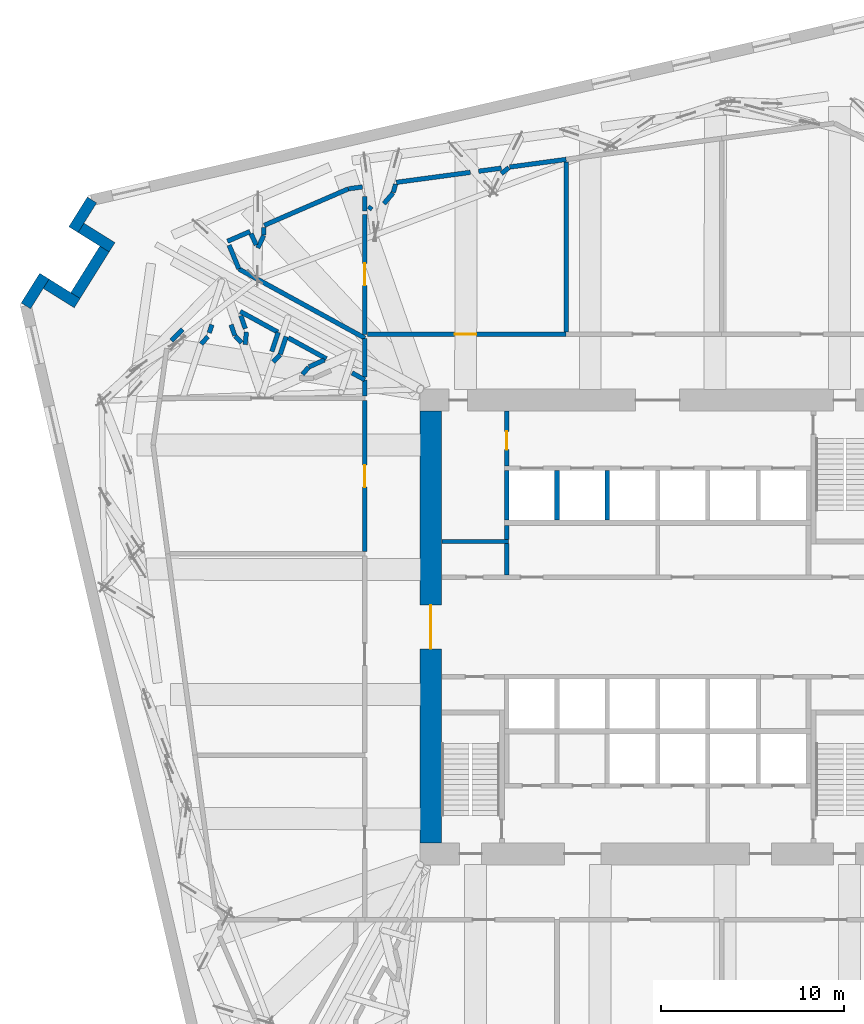
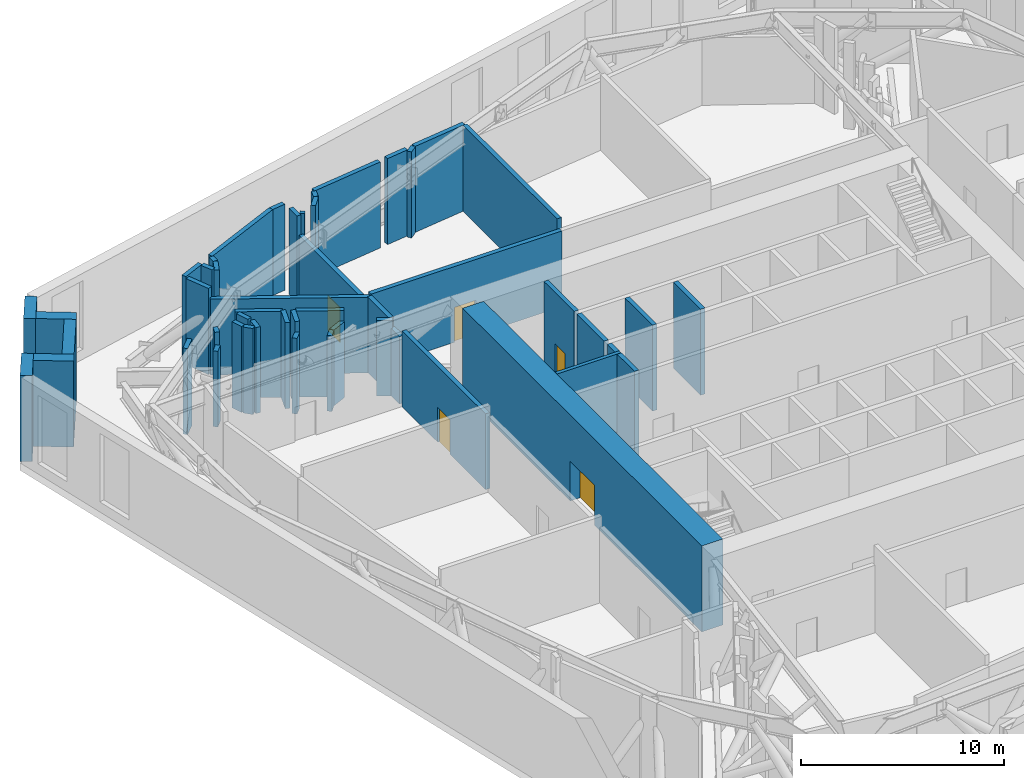
# One storey, part 10 of 17: 50 walls, 5 doors, 5 openings.
"""IFC4 building model written with IfcOpenShell, lengths in metres."""

from ifc_helpers import new_model, si_unit, direction, frame, frame_2d, origin, place, context, subcontext, project, spatial, rectangle, extrude, material, layer, layer_set, type_object, element, fill, save


model = new_model("IFC4")

# Units and contexts
model_context = context("Model", 3, precision=1e-05, world=origin(), true_north=direction((0.0, 1.0)))
body_context = subcontext(model_context, "Body", "Model", "MODEL_VIEW")
ifc_project = project(units=[si_unit("LENGTHUNIT", "METRE"), si_unit("AREAUNIT", "SQUARE_METRE"), si_unit("VOLUMEUNIT", "CUBIC_METRE"), si_unit("PLANEANGLEUNIT", "RADIAN"), si_unit("MASSUNIT", "GRAM", prefix="KILO")], contexts=[model_context])

# Site, building, storey
site_placement = place(None, origin())
site = spatial("IfcSite", under=ifc_project, at=site_placement, CompositionType="ELEMENT")
building_placement = place(site_placement, origin())
building = spatial("IfcBuilding", under=site, at=building_placement, Name="Dilmun Exchange Tower", CompositionType="ELEMENT")
storey_placement = place(building_placement, frame((0.0, 0.0, 76.5)))
storey = spatial("IfcBuildingStorey", under=building, at=storey_placement, Name="L17", CompositionType="ELEMENT", Elevation=76.5)

# Walls
ifc_material_1 = material(Name="Concrete C40/50", Category="concrete")
ifc_layer_1 = layer(ifc_material_1, 0.199951171875)
ifc_layer_set_1 = layer_set([ifc_layer_1], Name="Concrete C40/50")
wall_type_1 = type_object("IfcWallType", Name="Core partition wall 200", PredefinedType="PARTITIONING", material=ifc_layer_set_1)
wall_1_placement = place(storey_placement, frame((-11.794921875, 4.675048828125, 0.0), z_axis=(0.0, 0.0, 1.0), x_axis=(1.0, 0.0, 0.0)))
element("IfcWall", 1, at=wall_1_placement, inside=storey, type_object=wall_type_1, Name="L17 core partition wall 12", PredefinedType="PARTITIONING", context=body_context, shape_type="SweptSolid", body=[
    extrude(rectangle(XDim=3.64501953125, YDim=0.199951171875, at=frame_2d((1.822509765625, 0.0))), origin(), (0.0, 0.0, 1.0), 5.179931640625),
])
ifc_layer_2 = layer(ifc_material_1, 0.25)
ifc_layer_set_2 = layer_set([ifc_layer_2], Name="Concrete C40/50")
wall_type_2 = type_object("IfcWallType", Name="Core partition wall 250", PredefinedType="PARTITIONING", material=ifc_layer_set_2)
wall_2_placement = place(storey_placement, frame((-8.25, 2.85498046875, 0.0), z_axis=(0.0, 0.0, 1.0), x_axis=(0.0, 1.0, 0.0)))
element("IfcWall", 2, at=wall_2_placement, inside=storey, type_object=wall_type_2, Name="L17 core partition wall 09", PredefinedType="PARTITIONING", context=body_context, shape_type="SweptSolid", body=[
    extrude(rectangle(XDim=1.715087890625, YDim=0.25, at=frame_2d((0.857421875, 0.0))), origin(), (0.0, 0.0, 1.0), 5.179931640625),
])
wall_3_placement = place(storey_placement, frame((-8.25, 4.780029296875, 0.0), z_axis=(0.0, 0.0, 1.0), x_axis=(0.0, 1.0, 0.0)))
element("IfcWall", 3, at=wall_3_placement, inside=storey, type_object=wall_type_2, Name="L17 core partition wall 13", PredefinedType="PARTITIONING", context=body_context, shape_type="SweptSolid", body=[
    extrude(rectangle(XDim=0.764892578125, YDim=0.25, at=frame_2d((0.38232421875, 0.0))), origin(), (0.0, 0.0, 1.0), 5.179931640625),
])

# Wall, opening, door
wall_4_placement = place(storey_placement, frame((-8.25, 8.804931640625, 0.0), z_axis=(0.0, 0.0, 1.0), x_axis=(0.0, 1.0, 0.0)))
wall_4 = element("IfcWall", 4, at=wall_4_placement, inside=storey, type_object=wall_type_2, Name="L17 core partition wall 14", PredefinedType="PARTITIONING", context=body_context, shape_type="SweptSolid", body=[
    extrude(rectangle(XDim=2.989990234375, YDim=0.25, at=frame_2d((1.4951171875, 0.0))), origin(), (0.0, 0.0, 1.0), 5.179931640625),
])
opening_1_placement = place(wall_4_placement, frame((0.89501953125, 0.0, 0.0)))
opening_1 = element("IfcOpeningElement", 5, at=opening_1_placement, cuts=wall_4, Name="Opening CD4", PredefinedType="OPENING", context=body_context, shape_type="SweptSolid", body=[
    extrude(rectangle(XDim=1.0, YDim=2.10009765625, at=frame_2d((0.5, 1.050048828125))), frame((0.0, 0.135009765625, 0.0), z_axis=(0.0, -1.0, 0.0), x_axis=(1.0, 0.0, 0.0)), (0.0, 0.0, 1.0), 0.27001953125),
])
ifc_material_2 = material(Name="Fire-rated steel door set", Category="steel")
door_type_1 = type_object("IfcDoorType", Name="Core room door 1000x2100", OperationType="SINGLE_SWING_LEFT", PredefinedType="DOOR", material=ifc_material_2)
door_1_placement = place(opening_1_placement, origin())
door_1 = element("IfcDoor", 6, at=door_1_placement, inside=storey, type_object=door_type_1, Name="L17 door Building services room", OperationType="SINGLE_SWING_RIGHT", OverallHeight=2.10009765625, OverallWidth=1.0, PredefinedType="DOOR", context=body_context, shape_type="SweptSolid", body=[
    extrude(rectangle(XDim=1.0, YDim=2.10009765625, at=frame_2d((0.5, 1.050048828125))), frame((0.0, 0.02490234375, 0.0), z_axis=(0.0, -1.0, 0.0), x_axis=(1.0, 0.0, 0.0)), (0.0, 0.0, 1.0), 0.050048828125),
])
fill(opening_1, door_1)

ifc_material_3 = material(Name="Concrete C80/95", Category="concrete")
ifc_layer_3 = layer(ifc_material_3, 1.199951171875)
ifc_layer_set_3 = layer_set([ifc_layer_3], Name="Concrete C80/95")
wall_type_3 = type_object("IfcWallType", Name="Core shear wall 1200 Concrete C80/95", PredefinedType="SHEAR", material=ifc_layer_set_3)
wall_5_placement = place(storey_placement, frame((-12.39990234375, -11.800048828125, 0.0), z_axis=(0.0, 0.0, 1.0), x_axis=(0.0, 1.0, 0.0)))
wall_5 = element("IfcWall", 7, at=wall_5_placement, inside=storey, type_object=wall_type_3, Name="L17 core shear wall W", PredefinedType="SHEAR", context=body_context, shape_type="SweptSolid", body=[
    extrude(rectangle(XDim=23.60009765625, YDim=1.199951171875, at=frame_2d((11.800048828125, 0.0))), origin(), (0.0, 0.0, 1.0), 5.179931640625),
])
opening_2_placement = place(wall_5_placement, frame((10.60009765625, 0.0, 0.0)))
opening_2 = element("IfcOpeningElement", 8, at=opening_2_placement, cuts=wall_5, Name="Opening CD1", PredefinedType="OPENING", context=body_context, shape_type="SweptSolid", body=[
    extrude(rectangle(XDim=2.39990234375, YDim=2.39990234375, at=frame_2d((1.199951171875, 1.199951171875))), frame((0.0, 0.60986328125, 0.0), z_axis=(0.0, -1.0, 0.0), x_axis=(1.0, 0.0, 0.0)), (0.0, 0.0, 1.0), 1.219970703125),
])
door_type_2 = type_object("IfcDoorType", Name="Core lobby door 2400x2400", OperationType="DOUBLE_DOOR_DOUBLE_SWING", PredefinedType="DOOR", material=ifc_material_2)
door_2_placement = place(opening_2_placement, origin())
door_2 = element("IfcDoor", 9, at=door_2_placement, inside=storey, type_object=door_type_2, Name="L17 door Central lift lobby", OperationType="SINGLE_SWING_LEFT", OverallHeight=2.39990234375, OverallWidth=2.39990234375, PredefinedType="DOOR", context=body_context, shape_type="SweptSolid", body=[
    extrude(rectangle(XDim=2.39990234375, YDim=2.39990234375, at=frame_2d((1.199951171875, 1.199951171875))), frame((0.0, 0.02490234375, 0.0), z_axis=(0.0, -1.0, 0.0), x_axis=(1.0, 0.0, 0.0)), (0.0, 0.0, 1.0), 0.050048828125),
])
fill(opening_2, door_2)

# Walls
ifc_layer_4 = layer(ifc_material_1, 0.25)
ifc_layer_set_4 = layer_set([ifc_layer_4], Name="Concrete C40/50")
wall_type_4 = type_object("IfcWallType", Name="Lift shaft wall 250", PredefinedType="SOLIDWALL", material=ifc_layer_set_4)
for number, where, z_axis, x_axis, name in (
    (10, (-8.25, 5.85009765625, 0.0), (0.0, 0.0, 1.0), (0.0, 1.0, 0.0), "L17 lift shaft divider N20"),
    (11, (-5.5, 5.85009765625, 0.0), (0.0, 0.0, 1.0), (0.0, 1.0, 0.0), "L17 lift shaft divider N21"),
    (12, (-2.75, 5.85009765625, 0.0), (0.0, 0.0, 1.0), (0.0, 1.0, 0.0), "L17 lift shaft divider N22"),
):
    element("IfcWall", number, at=place(storey_placement, frame(where, z_axis=z_axis, x_axis=x_axis)), inside=storey, type_object=wall_type_4, Name=name, PredefinedType="SOLIDWALL", context=body_context, shape_type="SweptSolid", body=[
        extrude(rectangle(XDim=2.699951171875, YDim=0.25, at=frame_2d((1.35009765625, 0.0))), origin(), (0.0, 0.0, 1.0), 5.179931640625),
    ])

# Wall, opening, door
ifc_material_4 = material(Name="Concrete C32/40", Category="concrete")
ifc_layer_5 = layer(ifc_material_4, 0.25)
ifc_layer_set_5 = layer_set([ifc_layer_5], Name="Concrete C32/40")
wall_type_5 = type_object("IfcWallType", Name="Plant room wall 250", PredefinedType="PARTITIONING", material=ifc_layer_set_5)
wall_6_placement = place(storey_placement, frame((-16.0, 4.1298828125, 0.0), z_axis=(0.0, 0.0, 1.0), x_axis=(0.0, 1.0, 0.0)))
wall_6 = element("IfcWall", 13, at=wall_6_placement, inside=storey, type_object=wall_type_5, Name="L17 plant room wall 71", PredefinedType="PARTITIONING", context=body_context, shape_type="SweptSolid", body=[
    extrude(rectangle(XDim=8.240234375, YDim=0.25, at=frame_2d((4.1201171875, 0.0))), origin(), (0.0, 0.0, 1.0), 4.56005859375),
])
opening_3_placement = place(wall_6_placement, frame((3.52001953125, 0.0, 0.0)))
opening_3 = element("IfcOpeningElement", 14, at=opening_3_placement, cuts=wall_6, Name="Opening PD2", PredefinedType="OPENING", context=body_context, shape_type="SweptSolid", body=[
    extrude(rectangle(XDim=1.199951171875, YDim=2.10009765625, at=frame_2d((0.60009765625, 1.050048828125))), frame((0.0, 0.135009765625, 0.0), z_axis=(0.0, -1.0, 0.0), x_axis=(1.0, 0.0, 0.0)), (0.0, 0.0, 1.0), 0.27001953125),
])
door_type_3 = type_object("IfcDoorType", Name="Plant room door 1200x2100", OperationType="SINGLE_SWING_LEFT", PredefinedType="DOOR", material=ifc_material_2)
door_3_placement = place(opening_3_placement, origin())
door_3 = element("IfcDoor", 15, at=door_3_placement, inside=storey, type_object=door_type_3, Name="L17 door Mechanical pump room", OperationType="SINGLE_SWING_LEFT", OverallHeight=2.10009765625, OverallWidth=1.199951171875, PredefinedType="DOOR", context=body_context, shape_type="SweptSolid", body=[
    extrude(rectangle(XDim=1.199951171875, YDim=2.10009765625, at=frame_2d((0.60009765625, 1.050048828125))), frame((0.0, 0.02490234375, 0.0), z_axis=(0.0, -1.0, 0.0), x_axis=(1.0, 0.0, 0.0)), (0.0, 0.0, 1.0), 0.050048828125),
])
fill(opening_3, door_3)

# Walls
wall_7_placement = place(storey_placement, frame((-16.0, 12.6298828125, 0.0), z_axis=(0.0, 0.0, 1.0), x_axis=(0.0, 1.0, 0.0)))
element("IfcWall", 16, at=wall_7_placement, inside=storey, type_object=wall_type_5, Name="L17 plant room wall 72", PredefinedType="PARTITIONING", context=body_context, shape_type="SweptSolid", body=[
    extrude(rectangle(XDim=0.876708984375, YDim=0.25, at=frame_2d((0.4384765625, 0.0))), origin(), (0.0, 0.0, 1.0), 4.06005859375),
])
wall_8_placement = place(storey_placement, frame((-16.70068359375, 13.89111328125, 0.0), z_axis=(0.0, 0.0, 1.0), x_axis=(0.876627178213, -0.481170230187, 0.0)))
element("IfcWall", 17, at=wall_8_placement, inside=storey, type_object=wall_type_5, Name="L17 plant room wall 75", PredefinedType="PARTITIONING", context=body_context, shape_type="SweptSolid", body=[
    extrude(rectangle(XDim=0.7890625, YDim=0.25, at=frame_2d((0.39453125, 0.0))), origin(), (0.0, 0.0, 1.0), 4.56005859375),
])
wall_9_placement = place(storey_placement, frame((-19.415283203125, 13.808837890625, 0.0), z_axis=(0.0, 0.0, 1.0), x_axis=(0.651064290974, 0.75902258795, 0.0)))
element("IfcWall", 18, at=wall_9_placement, inside=storey, type_object=wall_type_5, Name="L17 plant room wall 76", PredefinedType="PARTITIONING", context=body_context, shape_type="SweptSolid", body=[
    extrude(rectangle(XDim=0.515625, YDim=0.25, at=frame_2d((0.2578125, 0.0))), origin(), (0.0, 0.0, 1.0), 4.56005859375),
])
wall_10_placement = place(storey_placement, frame((-21.0166015625, 14.48486328125, 0.0), z_axis=(0.0, 0.0, 1.0), x_axis=(0.68754545123, 0.726141344707, 0.0)))
element("IfcWall", 19, at=wall_10_placement, inside=storey, type_object=wall_type_5, Name="L17 plant room wall 77", PredefinedType="PARTITIONING", context=body_context, shape_type="SweptSolid", body=[
    extrude(rectangle(XDim=0.5439453125, YDim=0.25, at=frame_2d((0.27197265625, 0.0))), origin(), (0.0, 0.0, 1.0), 4.56005859375),
])
wall_11_placement = place(storey_placement, frame((-19.056396484375, 14.218017578125, 0.0), z_axis=(0.0, 0.0, 1.0), x_axis=(0.910882804676, 0.41266513803, 0.0)))
element("IfcWall", 20, at=wall_11_placement, inside=storey, type_object=wall_type_5, Name="L17 plant room wall 78", PredefinedType="PARTITIONING", context=body_context, shape_type="SweptSolid", body=[
    extrude(rectangle(XDim=0.921630859375, YDim=0.25, at=frame_2d((0.4609375, 0.0))), origin(), (0.0, 0.0, 1.0), 4.56005859375),
])
wall_12_placement = place(storey_placement, frame((-20.627685546875, 14.90478515625, 0.0), z_axis=(0.0, 0.0, 1.0), x_axis=(0.316299705905, 0.948659315057, 0.0)))
element("IfcWall", 21, at=wall_12_placement, inside=storey, type_object=wall_type_5, Name="L17 plant room wall 79", PredefinedType="PARTITIONING", context=body_context, shape_type="SweptSolid", body=[
    extrude(rectangle(XDim=1.01806640625, YDim=0.25, at=frame_2d((0.509033203125, 0.0))), origin(), (0.0, 0.0, 1.0), 5.179931640625),
])
wall_13_placement = place(storey_placement, frame((-22.546142578125, 15.437744140625, 0.0), z_axis=(0.0, 0.0, 1.0), x_axis=(0.099363176054, 0.995051234482, 0.0)))
element("IfcWall", 22, at=wall_13_placement, inside=storey, type_object=wall_type_5, Name="L17 plant room wall 81", PredefinedType="PARTITIONING", context=body_context, shape_type="SweptSolid", body=[
    extrude(rectangle(XDim=0.68798828125, YDim=0.25, at=frame_2d((0.343994140625, 0.0))), origin(), (0.0, 0.0, 1.0), 5.179931640625),
])
wall_14_placement = place(storey_placement, frame((-24.960205078125, 15.4716796875, 0.0), z_axis=(0.0, 0.0, 1.0), x_axis=(0.68754545123, 0.726141344707, 0.0)))
element("IfcWall", 23, at=wall_14_placement, inside=storey, type_object=wall_type_5, Name="L17 plant room wall 82", PredefinedType="PARTITIONING", context=body_context, shape_type="SweptSolid", body=[
    extrude(rectangle(XDim=0.5439453125, YDim=0.25, at=frame_2d((0.27197265625, 0.0))), origin(), (0.0, 0.0, 1.0), 4.56005859375),
])
wall_15_placement = place(storey_placement, frame((-26.570556640625, 15.65771484375, 0.0), z_axis=(0.0, 0.0, 1.0), x_axis=(0.701577777063, 0.71259288709, 0.0)))
element("IfcWall", 24, at=wall_15_placement, inside=storey, type_object=wall_type_5, Name="L17 plant room wall 83", PredefinedType="PARTITIONING", context=body_context, shape_type="SweptSolid", body=[
    extrude(rectangle(XDim=0.864501953125, YDim=0.25, at=frame_2d((0.43212890625, 0.0))), origin(), (0.0, 0.0, 1.0), 5.179931640625),
])
wall_16_placement = place(storey_placement, frame((-22.8896484375, 19.5712890625, 0.0), z_axis=(0.0, 0.0, 1.0), x_axis=(0.876543605904, -0.481322456311, 0.0)))
element("IfcWall", 25, at=wall_16_placement, inside=storey, type_object=wall_type_5, Name="L17 plant room wall 84", PredefinedType="PARTITIONING", context=body_context, shape_type="SweptSolid", body=[
    extrude(rectangle(XDim=7.860107421875, YDim=0.25, at=frame_2d((3.93017578125, 0.0))), origin(), (0.0, 0.0, 1.0), 4.56005859375),
])
wall_17_placement = place(storey_placement, frame((-16.0, 13.65478515625, 0.0), z_axis=(0.0, 0.0, 1.0), x_axis=(0.0, 1.0, 0.0)))
element("IfcWall", 26, at=wall_17_placement, inside=storey, type_object=wall_type_5, Name="L17 plant room wall 85", PredefinedType="PARTITIONING", context=body_context, shape_type="SweptSolid", body=[
    extrude(rectangle(XDim=2.123046875, YDim=0.25, at=frame_2d((1.0615234375, 0.0))), origin(), (0.0, 0.0, 1.0), 4.56005859375),
])
wall_18_placement = place(storey_placement, frame((-20.189697265625, 15.80712890625, 0.0), z_axis=(0.0, 0.0, 1.0), x_axis=(0.876552183452, -0.481306835277, 0.0)))
element("IfcWall", 27, at=wall_18_placement, inside=storey, type_object=wall_type_5, Name="L17 plant room wall 86", PredefinedType="PARTITIONING", context=body_context, shape_type="SweptSolid", body=[
    extrude(rectangle(XDim=2.37451171875, YDim=0.25, at=frame_2d((1.187255859375, 0.0))), origin(), (0.0, 0.0, 1.0), 5.179931640625),
])
wall_19_placement = place(storey_placement, frame((-23.096435546875, 15.905517578125, 0.0), z_axis=(0.0, 0.0, 1.0), x_axis=(0.698773329711, -0.715343157991, 0.0)))
element("IfcWall", 28, at=wall_19_placement, inside=storey, type_object=wall_type_5, Name="L17 plant room wall 87", PredefinedType="PARTITIONING", context=body_context, shape_type="SweptSolid", body=[
    extrude(rectangle(XDim=0.515625, YDim=0.25, at=frame_2d((0.2578125, 0.0))), origin(), (0.0, 0.0, 1.0), 5.179931640625),
])

# Wall, opening, door
wall_20_placement = place(storey_placement, frame((-16.0, 16.0, 0.0), z_axis=(0.0, 0.0, 1.0), x_axis=(0.0, 1.0, 0.0)))
wall_20 = element("IfcWall", 29, at=wall_20_placement, inside=storey, type_object=wall_type_5, Name="L17 plant room wall 88", PredefinedType="PARTITIONING", context=body_context, shape_type="SweptSolid", body=[
    extrude(rectangle(XDim=6.537841796875, YDim=0.25, at=frame_2d((3.26904296875, 0.0))), origin(), (0.0, 0.0, 1.0), 4.152099609375),
])
opening_4_placement = place(wall_20_placement, frame((2.678955078125, 0.0, 0.0)))
opening_4 = element("IfcOpeningElement", 30, at=opening_4_placement, cuts=wall_20, Name="Opening PD2", PredefinedType="OPENING", context=body_context, shape_type="SweptSolid", body=[
    extrude(rectangle(XDim=1.199951171875, YDim=2.10009765625, at=frame_2d((0.60009765625, 1.050048828125))), frame((0.0, 0.135009765625, 0.0), z_axis=(0.0, -1.0, 0.0), x_axis=(1.0, 0.0, 0.0)), (0.0, 0.0, 1.0), 0.27001953125),
])
door_4_placement = place(opening_4_placement, origin())
door_4 = element("IfcDoor", 31, at=door_4_placement, inside=storey, type_object=door_type_3, Name="L17 door Electrical plant room", OperationType="SINGLE_SWING_LEFT", OverallHeight=2.10009765625, OverallWidth=1.199951171875, PredefinedType="DOOR", context=body_context, shape_type="SweptSolid", body=[
    extrude(rectangle(XDim=1.199951171875, YDim=2.10009765625, at=frame_2d((0.60009765625, 1.050048828125))), frame((0.0, 0.02490234375, 0.0), z_axis=(0.0, -1.0, 0.0), x_axis=(1.0, 0.0, 0.0)), (0.0, 0.0, 1.0), 0.050048828125),
])
fill(opening_4, door_4)

wall_21_placement = place(storey_placement, frame((-15.8701171875, 16.0, 0.0), z_axis=(0.0, 0.0, 1.0), x_axis=(1.0, 0.0, 0.0)))
wall_21 = element("IfcWall", 32, at=wall_21_placement, inside=storey, type_object=wall_type_5, Name="L17 plant room wall 89", PredefinedType="PARTITIONING", context=body_context, shape_type="SweptSolid", body=[
    extrude(rectangle(XDim=10.8701171875, YDim=0.25, at=frame_2d((5.43505859375, 0.0))), origin(), (0.0, 0.0, 1.0), 4.56005859375),
])
opening_5_placement = place(wall_21_placement, frame((4.77001953125, 0.0, 0.0)))
opening_5 = element("IfcOpeningElement", 33, at=opening_5_placement, cuts=wall_21, Name="Opening PD2", PredefinedType="OPENING", context=body_context, shape_type="SweptSolid", body=[
    extrude(rectangle(XDim=1.199951171875, YDim=2.10009765625, at=frame_2d((0.60009765625, 1.050048828125))), frame((0.0, 0.135009765625, 0.0), z_axis=(0.0, -1.0, 0.0), x_axis=(1.0, 0.0, 0.0)), (0.0, 0.0, 1.0), 0.27001953125),
])
door_5_placement = place(opening_5_placement, origin())
door_5 = element("IfcDoor", 34, at=door_5_placement, inside=storey, type_object=door_type_3, Name="L17 door Plant fire pump room", OperationType="SINGLE_SWING_RIGHT", OverallHeight=2.10009765625, OverallWidth=1.199951171875, PredefinedType="DOOR", context=body_context, shape_type="SweptSolid", body=[
    extrude(rectangle(XDim=1.199951171875, YDim=2.10009765625, at=frame_2d((0.60009765625, 1.050048828125))), frame((0.0, 0.02490234375, 0.0), z_axis=(0.0, -1.0, 0.0), x_axis=(1.0, 0.0, 0.0)), (0.0, 0.0, 1.0), 0.050048828125),
])
fill(opening_5, door_5)

# Walls
wall_22_placement = place(storey_placement, frame((-24.509521484375, 16.0771484375, 0.0), z_axis=(0.0, 0.0, 1.0), x_axis=(0.316698849278, 0.948526140318, 0.0)))
element("IfcWall", 35, at=wall_22_placement, inside=storey, type_object=wall_type_5, Name="L17 plant room wall 95", PredefinedType="PARTITIONING", context=body_context, shape_type="SweptSolid", body=[
    extrude(rectangle(XDim=0.46630859375, YDim=0.25, at=frame_2d((0.233154296875, 0.0))), origin(), (0.0, 0.0, 1.0), 5.179931640625),
])
wall_23_placement = place(storey_placement, frame((-21.086669921875, 15.057861328125, 0.0), z_axis=(0.0, 0.0, 1.0), x_axis=(0.316227766017, 0.948683298051, 0.0)))
element("IfcWall", 36, at=wall_23_placement, inside=storey, type_object=wall_type_5, Name="L17 plant room wall 96", PredefinedType="PARTITIONING", context=body_context, shape_type="SweptSolid", body=[
    extrude(rectangle(XDim=1.1064453125, YDim=0.25, at=frame_2d((0.55322265625, 0.0))), origin(), (0.0, 0.0, 1.0), 5.179931640625),
])
wall_24_placement = place(storey_placement, frame((-22.784423828125, 17.015869140625, 0.0), z_axis=(0.0, 0.0, 1.0), x_axis=(0.330741906378, -0.943721246643, 0.0)))
element("IfcWall", 37, at=wall_24_placement, inside=storey, type_object=wall_type_5, Name="L17 plant room wall 97", PredefinedType="PARTITIONING", context=body_context, shape_type="SweptSolid", body=[
    extrude(rectangle(XDim=0.75, YDim=0.25, at=frame_2d((0.375, 0.0))), origin(), (0.0, 0.0, 1.0), 5.179931640625),
])
wall_25_placement = place(storey_placement, frame((-23.318603515625, 16.5205078125, 0.0), z_axis=(0.0, 0.0, 1.0), x_axis=(0.330715636576, -0.943730452897, 0.0)))
element("IfcWall", 38, at=wall_25_placement, inside=storey, type_object=wall_type_5, Name="L17 plant room wall 98", PredefinedType="PARTITIONING", context=body_context, shape_type="SweptSolid", body=[
    extrude(rectangle(XDim=0.625244140625, YDim=0.25, at=frame_2d((0.3125, 0.0))), origin(), (0.0, 0.0, 1.0), 5.179931640625),
])
wall_26_placement = place(storey_placement, frame((-22.8125, 17.247314453125, 0.0), z_axis=(0.0, 0.0, 1.0), x_axis=(0.876528495275, -0.481349973482, 0.0)))
element("IfcWall", 39, at=wall_26_placement, inside=storey, type_object=wall_type_5, Name="L17 plant room wall 101", PredefinedType="PARTITIONING", context=body_context, shape_type="SweptSolid", body=[
    extrude(rectangle(XDim=2.34033203125, YDim=0.25, at=frame_2d((1.170166015625, 0.0))), origin(), (0.0, 0.0, 1.0), 5.179931640625),
])
wall_27_placement = place(storey_placement, frame((-23.42333984375, 20.87255859375, 0.0), z_axis=(0.0, 0.0, 1.0), x_axis=(0.379433890075, -0.925218851442, 0.0)))
element("IfcWall", 40, at=wall_27_placement, inside=storey, type_object=wall_type_5, Name="L17 plant room wall 106", PredefinedType="PARTITIONING", context=body_context, shape_type="SweptSolid", body=[
    extrude(rectangle(XDim=1.400146484375, YDim=0.25, at=frame_2d((0.7001953125, 0.0))), origin(), (0.0, 0.0, 1.0), 5.179931640625),
])
wall_28_placement = place(storey_placement, frame((-21.854736328125, 20.717529296875, 0.0), z_axis=(0.0, 0.0, 1.0), x_axis=(0.429174492436, 0.903221597972, 0.0)))
element("IfcWall", 41, at=wall_28_placement, inside=storey, type_object=wall_type_5, Name="L17 plant room wall 109", PredefinedType="PARTITIONING", context=body_context, shape_type="SweptSolid", body=[
    extrude(rectangle(XDim=0.76171875, YDim=0.25, at=frame_2d((0.380859375, 0.0))), origin(), (0.0, 0.0, 1.0), 5.179931640625),
])
wall_29_placement = place(storey_placement, frame((-23.51123046875, 21.0869140625, 0.0), z_axis=(0.0, 0.0, 1.0), x_axis=(0.917433952023, 0.397888104465, 0.0)))
element("IfcWall", 42, at=wall_29_placement, inside=storey, type_object=wall_type_5, Name="L17 plant room wall 111", PredefinedType="PARTITIONING", context=body_context, shape_type="SweptSolid", body=[
    extrude(rectangle(XDim=1.342529296875, YDim=0.25, at=frame_2d((0.67138671875, 0.0))), origin(), (0.0, 0.0, 1.0), 5.179931640625),
])
wall_30_placement = place(storey_placement, frame((-21.521240234375, 21.43408203125, 0.0), z_axis=(0.0, 0.0, 1.0), x_axis=(0.007021476998, 0.999975349127, 0.0)))
element("IfcWall", 43, at=wall_30_placement, inside=storey, type_object=wall_type_5, Name="L17 plant room wall 112", PredefinedType="PARTITIONING", context=body_context, shape_type="SweptSolid", body=[
    extrude(rectangle(XDim=0.417236328125, YDim=0.25, at=frame_2d((0.20849609375, 0.0))), origin(), (0.0, 0.0, 1.0), 5.179931640625),
])
wall_31_placement = place(storey_placement, frame((-22.225830078125, 21.50341796875, 0.0), z_axis=(0.0, 0.0, 1.0), x_axis=(0.416224089764, -0.909262067338, 0.0)))
element("IfcWall", 44, at=wall_31_placement, inside=storey, type_object=wall_type_5, Name="L17 plant room wall 113", PredefinedType="PARTITIONING", context=body_context, shape_type="SweptSolid", body=[
    extrude(rectangle(XDim=0.683349609375, YDim=0.25, at=frame_2d((0.341796875, 0.0))), origin(), (0.0, 0.0, 1.0), 5.179931640625),
])
wall_32_placement = place(storey_placement, frame((-21.506103515625, 21.956298828125, 0.0), z_axis=(0.0, 0.0, 1.0), x_axis=(0.917456233246, 0.397836725401, 0.0)))
element("IfcWall", 45, at=wall_32_placement, inside=storey, type_object=wall_type_5, Name="L17 plant room wall 114", PredefinedType="PARTITIONING", context=body_context, shape_type="SweptSolid", body=[
    extrude(rectangle(XDim=5.019775390625, YDim=0.25, at=frame_2d((2.509765625, 0.0))), origin(), (0.0, 0.0, 1.0), 5.179931640625),
])
wall_33_placement = place(storey_placement, frame((-15.781005859375, 22.81884765625, 0.0), z_axis=(0.0, 0.0, 1.0), x_axis=(0.614250967996, 0.789110732608, 0.0)))
element("IfcWall", 46, at=wall_33_placement, inside=storey, type_object=wall_type_5, Name="L17 plant room wall 117", PredefinedType="PARTITIONING", context=body_context, shape_type="SweptSolid", body=[
    extrude(rectangle(XDim=0.2177734375, YDim=0.25, at=frame_2d((0.10888671875, 0.0))), origin(), (0.0, 0.0, 1.0), 5.179931640625),
])
wall_34_placement = place(storey_placement, frame((-14.95849609375, 23.145751953125, 0.0), z_axis=(0.0, 0.0, 1.0), x_axis=(0.64965569547, 0.760228569144, 0.0)))
element("IfcWall", 47, at=wall_34_placement, inside=storey, type_object=wall_type_5, Name="L17 plant room wall 118", PredefinedType="PARTITIONING", context=body_context, shape_type="SweptSolid", body=[
    extrude(rectangle(XDim=0.76171875, YDim=0.25, at=frame_2d((0.380859375, 0.0))), origin(), (0.0, 0.0, 1.0), 5.179931640625),
])
wall_35_placement = place(storey_placement, frame((-16.0, 22.74951171875, 0.0), z_axis=(0.0, 0.0, 1.0), x_axis=(0.0, 1.0, 0.0)))
element("IfcWall", 48, at=wall_35_placement, inside=storey, type_object=wall_type_5, Name="L17 plant room wall 119", PredefinedType="PARTITIONING", context=body_context, shape_type="SweptSolid", body=[
    extrude(rectangle(XDim=0.77685546875, YDim=0.25, at=frame_2d((0.388427734375, 0.0))), origin(), (0.0, 0.0, 1.0), 5.179931640625),
])
wall_36_placement = place(storey_placement, frame((-14.449951171875, 23.750732421875, 0.0), z_axis=(0.0, 0.0, 1.0), x_axis=(0.267113952129, 0.963664950373, 0.0)))
element("IfcWall", 49, at=wall_36_placement, inside=storey, type_object=wall_type_5, Name="L17 plant room wall 120", PredefinedType="PARTITIONING", context=body_context, shape_type="SweptSolid", body=[
    extrude(rectangle(XDim=0.475341796875, YDim=0.25, at=frame_2d((0.23779296875, 0.0))), origin(), (0.0, 0.0, 1.0), 5.179931640625),
])
wall_37_placement = place(storey_placement, frame((-16.8955078125, 23.9541015625, 0.0), z_axis=(0.0, 0.0, 1.0), x_axis=(0.991012932469, 0.133766093161, 0.0)))
element("IfcWall", 50, at=wall_37_placement, inside=storey, type_object=wall_type_5, Name="L17 plant room wall 121", PredefinedType="PARTITIONING", context=body_context, shape_type="SweptSolid", body=[
    extrude(rectangle(XDim=0.768310546875, YDim=0.25, at=frame_2d((0.38427734375, 0.0))), origin(), (0.0, 0.0, 1.0), 5.179931640625),
])
wall_38_placement = place(storey_placement, frame((-14.28369140625, 24.306884765625, 0.0), z_axis=(0.0, 0.0, 1.0), x_axis=(0.99099457439, 0.133902029595, 0.0)))
element("IfcWall", 51, at=wall_38_placement, inside=storey, type_object=wall_type_5, Name="L17 plant room wall 123", PredefinedType="PARTITIONING", context=body_context, shape_type="SweptSolid", body=[
    extrude(rectangle(XDim=4.084228515625, YDim=0.25, at=frame_2d((2.0419921875, 0.0))), origin(), (0.0, 0.0, 1.0), 5.179931640625),
])
wall_39_placement = place(storey_placement, frame((-8.539794921875, 24.786865234375, 0.0), z_axis=(0.0, 0.0, 1.0), x_axis=(0.782145041333, 0.623096408526, 0.0)))
element("IfcWall", 52, at=wall_39_placement, inside=storey, type_object=wall_type_5, Name="L17 plant room wall 124", PredefinedType="PARTITIONING", context=body_context, shape_type="SweptSolid", body=[
    extrude(rectangle(XDim=0.52197265625, YDim=0.25, at=frame_2d((0.260986328125, 0.0))), origin(), (0.0, 0.0, 1.0), 5.179931640625),
])
wall_40_placement = place(storey_placement, frame((-9.7861328125, 24.91455078125, 0.0), z_axis=(0.0, 0.0, 1.0), x_axis=(0.990998710615, 0.133871414275, 0.0)))
element("IfcWall", 53, at=wall_40_placement, inside=storey, type_object=wall_type_5, Name="L17 plant room wall 126", PredefinedType="PARTITIONING", context=body_context, shape_type="SweptSolid", body=[
    extrude(rectangle(XDim=1.254638671875, YDim=0.25, at=frame_2d((0.62744140625, 0.0))), origin(), (0.0, 0.0, 1.0), 5.179931640625),
])
wall_41_placement = place(storey_placement, frame((-8.0869140625, 25.14404296875, 0.0), z_axis=(0.0, 0.0, 1.0), x_axis=(0.990988775484, 0.133944939679, 0.0)))
element("IfcWall", 54, at=wall_41_placement, inside=storey, type_object=wall_type_5, Name="L17 plant room wall 127", PredefinedType="PARTITIONING", context=body_context, shape_type="SweptSolid", body=[
    extrude(rectangle(XDim=3.114990234375, YDim=0.25, at=frame_2d((1.5576171875, 0.0))), origin(), (0.0, 0.0, 1.0), 5.179931640625),
])
wall_42_placement = place(storey_placement, frame((-5.0, 16.1298828125, 0.0), z_axis=(0.0, 0.0, 1.0), x_axis=(0.0, 1.0, 0.0)))
element("IfcWall", 55, at=wall_42_placement, inside=storey, type_object=wall_type_5, Name="L17 plant room wall 128", PredefinedType="PARTITIONING", context=body_context, shape_type="SweptSolid", body=[
    extrude(rectangle(XDim=9.300048828125, YDim=0.25, at=frame_2d((4.64990234375, 0.0))), origin(), (0.0, 0.0, 1.0), 5.179931640625),
])
ifc_material_5 = material(Name="Precast concrete C50/60", Category="concrete")
ifc_layer_6 = layer(ifc_material_5, 0.60009765625)
ifc_layer_set_6 = layer_set([ifc_layer_6], Name="Precast concrete C50/60")
wall_type_6 = type_object("IfcWallType", Name="Precast stone-clad wall 600", PredefinedType="STANDARD", material=ifc_layer_set_6)
wall_43_placement = place(storey_placement, frame((-30.919189453125, 23.343017578125, 0.0), z_axis=(0.0, 0.0, 1.0), x_axis=(-0.529872627711, -0.848077236107, 0.0)))
element("IfcWall", 56, at=wall_43_placement, inside=storey, type_object=wall_type_6, Name="Facade wall L17-04", PredefinedType="STANDARD", context=body_context, shape_type="SweptSolid", body=[
    extrude(rectangle(XDim=1.9111328125, YDim=0.60009765625, at=frame_2d((0.95556640625, 0.0))), origin(), (0.0, 0.0, 1.0), 5.179931640625),
])
wall_44_placement = place(storey_placement, frame((-31.5185546875, 21.817626953125, 0.0), z_axis=(0.0, 0.0, 1.0), x_axis=(0.848046307055, -0.529922127383, 0.0)))
element("IfcWall", 57, at=wall_44_placement, inside=storey, type_object=wall_type_6, Name="Facade wall L17-05", PredefinedType="STANDARD", context=body_context, shape_type="SweptSolid", body=[
    extrude(rectangle(XDim=2.0, YDim=0.60009765625, at=frame_2d((1.0, 0.0))), origin(), (0.0, 0.0, 1.0), 5.179931640625),
])
wall_45_placement = place(storey_placement, frame((-30.23583984375, 20.662353515625, 0.0), z_axis=(0.0, 0.0, 1.0), x_axis=(-0.529933104572, -0.848039447596, 0.0)))
element("IfcWall", 58, at=wall_45_placement, inside=storey, type_object=wall_type_6, Name="Facade wall L17-06", PredefinedType="STANDARD", context=body_context, shape_type="SweptSolid", body=[
    extrude(rectangle(XDim=3.0, YDim=0.60009765625, at=frame_2d((1.5, 0.0))), origin(), (0.0, 0.0, 1.0), 5.179931640625),
])
wall_46_placement = place(storey_placement, frame((-31.730224609375, 17.70458984375, 0.0), z_axis=(0.0, 0.0, 1.0), x_axis=(-0.848025730558, 0.529955054992, 0.0)))
element("IfcWall", 59, at=wall_46_placement, inside=storey, type_object=wall_type_6, Name="Facade wall L17-07", PredefinedType="STANDARD", context=body_context, shape_type="SweptSolid", body=[
    extrude(rectangle(XDim=2.000244140625, YDim=0.60009765625, at=frame_2d((1.0, 0.0))), origin(), (0.0, 0.0, 1.0), 5.179931640625),
])
wall_47_placement = place(storey_placement, frame((-33.521728515625, 19.177978515625, 0.0), z_axis=(0.0, 0.0, 1.0), x_axis=(-0.529964494694, -0.848019831351, 0.0)))
element("IfcWall", 60, at=wall_47_placement, inside=storey, type_object=wall_type_6, Name="Facade wall L17-08", PredefinedType="STANDARD", context=body_context, shape_type="SweptSolid", body=[
    extrude(rectangle(XDim=1.911376953125, YDim=0.60009765625, at=frame_2d((0.95556640625, 0.0))), origin(), (0.0, 0.0, 1.0), 5.179931640625),
])

save(model, "model.ifc")
